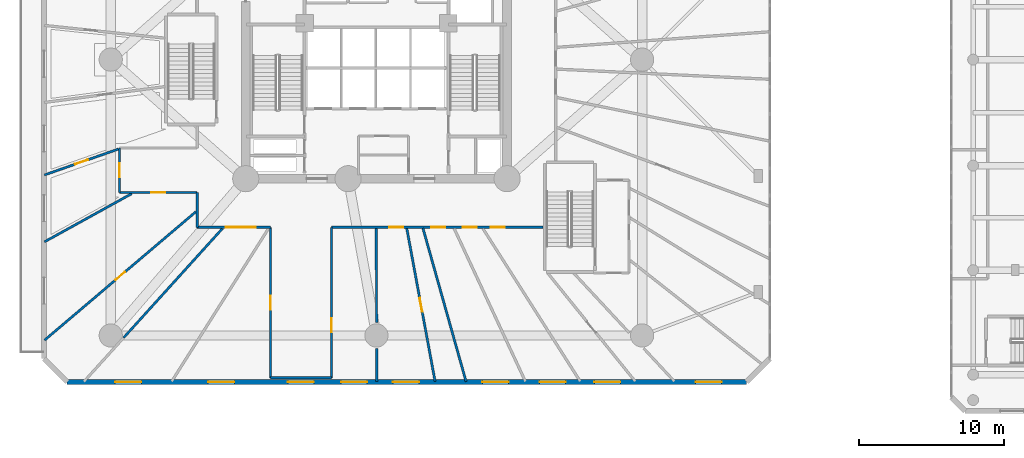
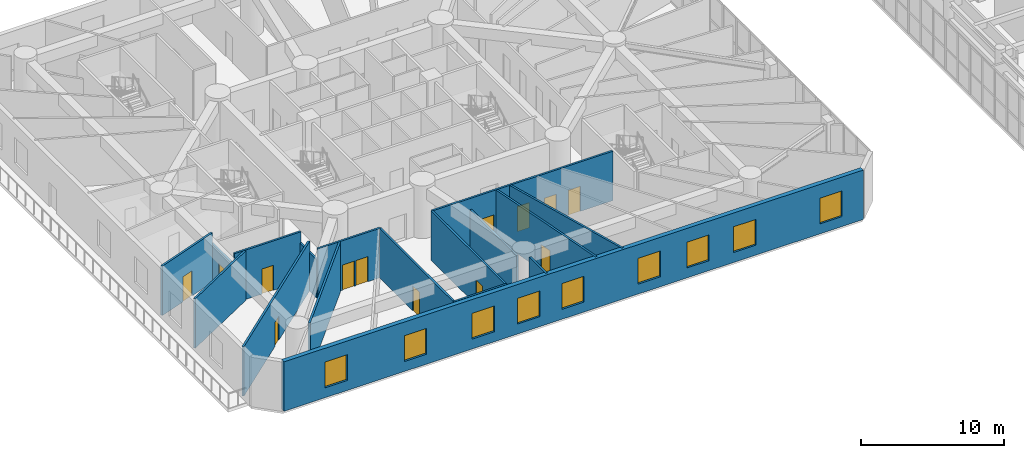
# One storey, part 12 of 24: 17 walls, 13 doors, 9 windows, 22 openings.
"""IFC4 building model written with IfcOpenShell, lengths in metres."""

from ifc_helpers import new_model, si_unit, direction, frame, frame_2d, origin, origin_with_axes, place, context, subcontext, project, spatial, rectangle, extrude, source, transform, mapped, material, layer, layer_set, type_object, element, fill, save


model = new_model("IFC4")

# Units and contexts
model_context = context("Model", 3, precision=1e-05, world=origin(), true_north=direction((0.0, 1.0)))
body_context = subcontext(model_context, "Body", "Model", "MODEL_VIEW")
ifc_project = project(units=[si_unit("LENGTHUNIT", "METRE"), si_unit("AREAUNIT", "SQUARE_METRE"), si_unit("VOLUMEUNIT", "CUBIC_METRE"), si_unit("PLANEANGLEUNIT", "RADIAN"), si_unit("MASSUNIT", "GRAM", prefix="KILO")], contexts=[model_context])

# Site, building, storey
site_placement = place(None, origin())
site = spatial("IfcSite", under=ifc_project, at=site_placement, CompositionType="ELEMENT")
building_placement = place(site_placement, origin())
building = spatial("IfcBuilding", under=site, at=building_placement, Name="Karkom Vertical University and Central Library", CompositionType="ELEMENT")
storey_placement = place(building_placement, frame((0.0, 0.0, 13.5)))
storey = spatial("IfcBuildingStorey", under=building, at=storey_placement, Name="L03", CompositionType="ELEMENT", Elevation=13.5)

# Wall, openings, windows
ifc_material_1 = material(Name="Brick masonry 360mm insulated cavity", Category="masonry")
ifc_layer_1 = layer(ifc_material_1, 0.360107421875)
ifc_layer_set_1 = layer_set([ifc_layer_1], Name="Brick masonry 360mm insulated cavity")
wall_type_1 = type_object("IfcWallType", Name="ENV-WL-BRK-360", PredefinedType="SOLIDWALL", material=ifc_layer_set_1)
wall_1_placement = place(storey_placement, frame((7.199951171875, 4.300048828125, 0.0), z_axis=(0.0, 0.0, 1.0), x_axis=(1.0, 0.0, 0.0)))
wall_1 = element("IfcWall", 1, at=wall_1_placement, inside=storey, type_object=wall_type_1, Name="Level 03 POD Terracotta Brick Facade Wall 01", PredefinedType="SOLIDWALL", context=body_context, shape_type="SweptSolid", body=[
    extrude(rectangle(XDim=46.800048828125, YDim=0.360107421875, at=frame_2d((23.39990234375, 0.0))), origin(), (0.0, 0.0, 1.0), 4.22509765625),
])
opening_1_placement = place(wall_1_placement, frame((3.305419921875, 0.0, 0.85009765625)))
opening_1 = element("IfcOpeningElement", 2, at=opening_1_placement, cuts=wall_1, Name="Opening WN-01", PredefinedType="OPENING", context=body_context, shape_type="SweptSolid", body=[
    extrude(rectangle(XDim=1.800048828125, YDim=2.199951171875, at=frame_2d((0.89990234375, 1.10009765625))), frame((0.0, 0.18994140625, 0.0), z_axis=(0.0, -1.0, 0.0), x_axis=(1.0, 0.0, 0.0)), (0.0, 0.0, 1.0), 0.380126953125),
])
opening_2_placement = place(wall_1_placement, frame((9.708984375, 0.0, 0.85009765625)))
opening_2 = element("IfcOpeningElement", 3, at=opening_2_placement, cuts=wall_1, Name="Opening WN-01", PredefinedType="OPENING", context=body_context, shape_type="SweptSolid", body=[
    extrude(rectangle(XDim=1.800048828125, YDim=2.199951171875, at=frame_2d((0.89990234375, 1.10009765625))), frame((0.0, 0.18994140625, 0.0), z_axis=(0.0, -1.0, 0.0), x_axis=(1.0, 0.0, 0.0)), (0.0, 0.0, 1.0), 0.380126953125),
])
opening_3_placement = place(wall_1_placement, frame((15.199951171875, 0.0, 0.85009765625)))
opening_3 = element("IfcOpeningElement", 4, at=opening_3_placement, cuts=wall_1, Name="Opening WN-01", PredefinedType="OPENING", context=body_context, shape_type="SweptSolid", body=[
    extrude(rectangle(XDim=1.800048828125, YDim=2.199951171875, at=frame_2d((0.89990234375, 1.10009765625))), frame((0.0, 0.18994140625, 0.0), z_axis=(0.0, -1.0, 0.0), x_axis=(1.0, 0.0, 0.0)), (0.0, 0.0, 1.0), 0.380126953125),
])
opening_4_placement = place(wall_1_placement, frame((18.864990234375, 0.0, 0.85009765625)))
opening_4 = element("IfcOpeningElement", 5, at=opening_4_placement, cuts=wall_1, Name="Opening WN-01", PredefinedType="OPENING", context=body_context, shape_type="SweptSolid", body=[
    extrude(rectangle(XDim=1.800048828125, YDim=2.199951171875, at=frame_2d((0.89990234375, 1.10009765625))), frame((0.0, 0.18994140625, 0.0), z_axis=(0.0, -1.0, 0.0), x_axis=(1.0, 0.0, 0.0)), (0.0, 0.0, 1.0), 0.380126953125),
])
opening_5_placement = place(wall_1_placement, frame((22.432861328125, 0.0, 0.85009765625)))
opening_5 = element("IfcOpeningElement", 6, at=opening_5_placement, cuts=wall_1, Name="Opening WN-01", PredefinedType="OPENING", context=body_context, shape_type="SweptSolid", body=[
    extrude(rectangle(XDim=1.800048828125, YDim=2.199951171875, at=frame_2d((0.89990234375, 1.10009765625))), frame((0.0, 0.18994140625, 0.0), z_axis=(0.0, -1.0, 0.0), x_axis=(1.0, 0.0, 0.0)), (0.0, 0.0, 1.0), 0.380126953125),
])
opening_6_placement = place(wall_1_placement, frame((28.606201171875, 0.0, 0.85009765625)))
opening_6 = element("IfcOpeningElement", 7, at=opening_6_placement, cuts=wall_1, Name="Opening WN-01", PredefinedType="OPENING", context=body_context, shape_type="SweptSolid", body=[
    extrude(rectangle(XDim=1.800048828125, YDim=2.199951171875, at=frame_2d((0.89990234375, 1.10009765625))), frame((0.0, 0.18994140625, 0.0), z_axis=(0.0, -1.0, 0.0), x_axis=(1.0, 0.0, 0.0)), (0.0, 0.0, 1.0), 0.380126953125),
])
opening_7_placement = place(wall_1_placement, frame((32.53271484375, 0.0, 0.85009765625)))
opening_7 = element("IfcOpeningElement", 8, at=opening_7_placement, cuts=wall_1, Name="Opening WN-01", PredefinedType="OPENING", context=body_context, shape_type="SweptSolid", body=[
    extrude(rectangle(XDim=1.800048828125, YDim=2.199951171875, at=frame_2d((0.89990234375, 1.10009765625))), frame((0.0, 0.18994140625, 0.0), z_axis=(0.0, -1.0, 0.0), x_axis=(1.0, 0.0, 0.0)), (0.0, 0.0, 1.0), 0.380126953125),
])
opening_8_placement = place(wall_1_placement, frame((36.309814453125, 0.0, 0.85009765625)))
opening_8 = element("IfcOpeningElement", 9, at=opening_8_placement, cuts=wall_1, Name="Opening WN-01", PredefinedType="OPENING", context=body_context, shape_type="SweptSolid", body=[
    extrude(rectangle(XDim=1.800048828125, YDim=2.199951171875, at=frame_2d((0.89990234375, 1.10009765625))), frame((0.0, 0.18994140625, 0.0), z_axis=(0.0, -1.0, 0.0), x_axis=(1.0, 0.0, 0.0)), (0.0, 0.0, 1.0), 0.380126953125),
])
opening_9_placement = place(wall_1_placement, frame((43.283203125, 0.0, 0.85009765625)))
opening_9 = element("IfcOpeningElement", 10, at=opening_9_placement, cuts=wall_1, Name="Opening WN-01", PredefinedType="OPENING", context=body_context, shape_type="SweptSolid", body=[
    extrude(rectangle(XDim=1.800048828125, YDim=2.199951171875, at=frame_2d((0.89990234375, 1.10009765625))), frame((0.0, 0.18994140625, 0.0), z_axis=(0.0, -1.0, 0.0), x_axis=(1.0, 0.0, 0.0)), (0.0, 0.0, 1.0), 0.380126953125),
])
ifc_material_2 = material(Name="Aluminium thermal-break frame with solar-control IGU", Category="aluminium")
window_type = type_object("IfcWindowType", Name="ENV-WIN-WN-01", PartitioningType="SINGLE_PANEL", PredefinedType="WINDOW", material=ifc_material_2)
shared_shape_1 = source(origin_with_axes(), body_context, "Body", "SweptSolid", [
    extrude(rectangle(XDim=1.800048828125, YDim=2.199951171875, at=frame_2d((0.89990234375, 1.10009765625))), frame((0.0, 0.030029296875, 0.0), z_axis=(0.0, -1.0, 0.0), x_axis=(1.0, 0.0, 0.0)), (0.0, 0.0, 1.0), 0.06005859375),
])
window_1_placement = place(opening_1_placement, origin())
window_1 = element("IfcWindow", 11, at=window_1_placement, inside=storey, type_object=window_type, Name="Level 03 POD Punched Window 01", OverallHeight=2.199951171875, OverallWidth=1.800048828125, PartitioningType="SINGLE_PANEL", PredefinedType="WINDOW", context=body_context, shape_type="MappedRepresentation", body=[
    mapped(shared_shape_1, transform((0.0, 0.0, 0.0), scale=1.0)),
])
fill(opening_1, window_1)
window_2_placement = place(opening_2_placement, origin())
window_2 = element("IfcWindow", 12, at=window_2_placement, inside=storey, type_object=window_type, Name="Level 03 POD Punched Window 02", OverallHeight=2.199951171875, OverallWidth=1.800048828125, PartitioningType="SINGLE_PANEL", PredefinedType="WINDOW", context=body_context, shape_type="MappedRepresentation", body=[
    mapped(shared_shape_1, transform((0.0, 0.0, 0.0), scale=1.0)),
])
fill(opening_2, window_2)
window_3_placement = place(opening_3_placement, origin())
window_3 = element("IfcWindow", 13, at=window_3_placement, inside=storey, type_object=window_type, Name="Level 03 POD Punched Window 03", OverallHeight=2.199951171875, OverallWidth=1.800048828125, PartitioningType="SINGLE_PANEL", PredefinedType="WINDOW", context=body_context, shape_type="MappedRepresentation", body=[
    mapped(shared_shape_1, transform((0.0, 0.0, 0.0), scale=1.0)),
])
fill(opening_3, window_3)
window_4_placement = place(opening_4_placement, origin())
window_4 = element("IfcWindow", 14, at=window_4_placement, inside=storey, type_object=window_type, Name="Level 03 POD Punched Window 04", OverallHeight=2.199951171875, OverallWidth=1.800048828125, PartitioningType="SINGLE_PANEL", PredefinedType="WINDOW", context=body_context, shape_type="MappedRepresentation", body=[
    mapped(shared_shape_1, transform((0.0, 0.0, 0.0), scale=1.0)),
])
fill(opening_4, window_4)
window_5_placement = place(opening_5_placement, origin())
window_5 = element("IfcWindow", 15, at=window_5_placement, inside=storey, type_object=window_type, Name="Level 03 POD Punched Window 05", OverallHeight=2.199951171875, OverallWidth=1.800048828125, PartitioningType="SINGLE_PANEL", PredefinedType="WINDOW", context=body_context, shape_type="MappedRepresentation", body=[
    mapped(shared_shape_1, transform((0.0, 0.0, 0.0), scale=1.0)),
])
fill(opening_5, window_5)
window_6_placement = place(opening_6_placement, origin())
window_6 = element("IfcWindow", 16, at=window_6_placement, inside=storey, type_object=window_type, Name="Level 03 POD Punched Window 06", OverallHeight=2.199951171875, OverallWidth=1.800048828125, PartitioningType="SINGLE_PANEL", PredefinedType="WINDOW", context=body_context, shape_type="MappedRepresentation", body=[
    mapped(shared_shape_1, transform((0.0, 0.0, 0.0), scale=1.0)),
])
fill(opening_6, window_6)
window_7_placement = place(opening_7_placement, origin())
window_7 = element("IfcWindow", 17, at=window_7_placement, inside=storey, type_object=window_type, Name="Level 03 POD Punched Window 07", OverallHeight=2.199951171875, OverallWidth=1.800048828125, PartitioningType="SINGLE_PANEL", PredefinedType="WINDOW", context=body_context, shape_type="MappedRepresentation", body=[
    mapped(shared_shape_1, transform((0.0, 0.0, 0.0), scale=1.0)),
])
fill(opening_7, window_7)
window_8_placement = place(opening_8_placement, origin())
window_8 = element("IfcWindow", 18, at=window_8_placement, inside=storey, type_object=window_type, Name="Level 03 POD Punched Window 08", OverallHeight=2.199951171875, OverallWidth=1.800048828125, PartitioningType="SINGLE_PANEL", PredefinedType="WINDOW", context=body_context, shape_type="MappedRepresentation", body=[
    mapped(shared_shape_1, transform((0.0, 0.0, 0.0), scale=1.0)),
])
fill(opening_8, window_8)
window_9_placement = place(opening_9_placement, origin())
window_9 = element("IfcWindow", 19, at=window_9_placement, inside=storey, type_object=window_type, Name="Level 03 POD Punched Window 09", OverallHeight=2.199951171875, OverallWidth=1.800048828125, PartitioningType="SINGLE_PANEL", PredefinedType="WINDOW", context=body_context, shape_type="MappedRepresentation", body=[
    mapped(shared_shape_1, transform((0.0, 0.0, 0.0), scale=1.0)),
])
fill(opening_9, window_9)

# Wall, openings, doors
ifc_material_3 = material(Name="Insulated metal-stud drywall 160mm", Category="gypsum")
ifc_layer_2 = layer(ifc_material_3, 0.159912109375)
ifc_layer_set_2 = layer_set([ifc_layer_2], Name="Insulated metal-stud drywall 160mm")
wall_type_2 = type_object("IfcWallType", Name="INT-WL-COR-160", PredefinedType="PARTITIONING", material=ifc_layer_set_2)
wall_2_placement = place(storey_placement, frame((39.988037109375, 14.949951171875, 0.0), z_axis=(0.0, 0.0, 1.0), x_axis=(-1.0, 0.0, 0.0)))
wall_2 = element("IfcWall", 20, at=wall_2_placement, inside=storey, type_object=wall_type_2, Name="Level 03 Interior Partition Wall Level 03-PDCW-CW-010", PredefinedType="PARTITIONING", context=body_context, shape_type="SweptSolid", body=[
    extrude(rectangle(XDim=14.588134765625, YDim=0.159912109375, at=frame_2d((7.2939453125, 0.0))), origin(), (0.0, 0.0, 1.0), 4.22509765625),
])
opening_10_placement = place(wall_2_placement, frame((9.637939453125, 0.0, 0.0)))
opening_10 = element("IfcOpeningElement", 21, at=opening_10_placement, cuts=wall_2, Name="Opening FD-RM2", PredefinedType="OPENING", context=body_context, shape_type="SweptSolid", body=[
    extrude(rectangle(XDim=0.9599609375, YDim=2.14990234375, at=frame_2d((0.47998046875, 1.074951171875))), frame((0.0, 0.08984375, 0.0), z_axis=(0.0, -1.0, 0.0), x_axis=(1.0, 0.0, 0.0)), (0.0, 0.0, 1.0), 0.179931640625),
])
opening_11_placement = place(wall_2_placement, frame((6.735107421875, 0.0, 0.0)))
opening_11 = element("IfcOpeningElement", 22, at=opening_11_placement, cuts=wall_2, Name="Opening FD-RM2", PredefinedType="OPENING", context=body_context, shape_type="SweptSolid", body=[
    extrude(rectangle(XDim=0.9599609375, YDim=2.14990234375, at=frame_2d((0.47998046875, 1.074951171875))), frame((0.0, 0.08984375, 0.0), z_axis=(0.0, -1.0, 0.0), x_axis=(1.0, 0.0, 0.0)), (0.0, 0.0, 1.0), 0.179931640625),
])
opening_12_placement = place(wall_2_placement, frame((4.572021484375, 0.0, 0.0)))
opening_12 = element("IfcOpeningElement", 23, at=opening_12_placement, cuts=wall_2, Name="Opening FD-RM2", PredefinedType="OPENING", context=body_context, shape_type="SweptSolid", body=[
    extrude(rectangle(XDim=0.9599609375, YDim=2.14990234375, at=frame_2d((0.47998046875, 1.074951171875))), frame((0.0, 0.08984375, 0.0), z_axis=(0.0, -1.0, 0.0), x_axis=(1.0, 0.0, 0.0)), (0.0, 0.0, 1.0), 0.179931640625),
])
opening_13_placement = place(wall_2_placement, frame((2.639892578125, 0.0, 0.0)))
opening_13 = element("IfcOpeningElement", 24, at=opening_13_placement, cuts=wall_2, Name="Opening FD-RM2", PredefinedType="OPENING", context=body_context, shape_type="SweptSolid", body=[
    extrude(rectangle(XDim=0.9599609375, YDim=2.14990234375, at=frame_2d((0.47998046875, 1.074951171875))), frame((0.0, 0.08984375, 0.0), z_axis=(0.0, -1.0, 0.0), x_axis=(1.0, 0.0, 0.0)), (0.0, 0.0, 1.0), 0.179931640625),
])
ifc_material_4 = material(Name="Fire-rated oak veneer door", Category="wood")
door_type_1 = type_object("IfcDoorType", Name="INT-DR-FRM2", OperationType="NOTDEFINED", PredefinedType="DOOR", material=ifc_material_4)
shared_shape_2 = source(origin_with_axes(), body_context, "Body", "SweptSolid", [
    extrude(rectangle(XDim=0.9599609375, YDim=2.14990234375, at=frame_2d((0.47998046875, 1.074951171875))), frame((0.0, 0.02490234375, 0.0), z_axis=(0.0, -1.0, 0.0), x_axis=(1.0, 0.0, 0.0)), (0.0, 0.0, 1.0), 0.050048828125),
])
door_1_placement = place(opening_10_placement, origin())
door_1 = element("IfcDoor", 25, at=door_1_placement, inside=storey, type_object=door_type_1, Name="Level 03 Room Entry Door 808", OperationType="SINGLE_SWING_LEFT", OverallHeight=2.14990234375, OverallWidth=0.9599609375, PredefinedType="DOOR", context=body_context, shape_type="MappedRepresentation", body=[
    mapped(shared_shape_2, transform((0.0, 0.0, 0.0), scale=1.0)),
])
fill(opening_10, door_1)
door_2_placement = place(opening_11_placement, origin())
door_2 = element("IfcDoor", 26, at=door_2_placement, inside=storey, type_object=door_type_1, Name="Level 03 Room Entry Door 810", OperationType="SINGLE_SWING_LEFT", OverallHeight=2.14990234375, OverallWidth=0.9599609375, PredefinedType="DOOR", context=body_context, shape_type="MappedRepresentation", body=[
    mapped(shared_shape_2, transform((0.0, 0.0, 0.0), scale=1.0)),
])
fill(opening_11, door_2)
door_3_placement = place(opening_12_placement, origin())
door_3 = element("IfcDoor", 27, at=door_3_placement, inside=storey, type_object=door_type_1, Name="Level 03 Room Entry Door 811", OperationType="SINGLE_SWING_RIGHT", OverallHeight=2.14990234375, OverallWidth=0.9599609375, PredefinedType="DOOR", context=body_context, shape_type="MappedRepresentation", body=[
    mapped(shared_shape_2, transform((0.0, 0.0, 0.0), scale=1.0)),
])
fill(opening_12, door_3)
door_4_placement = place(opening_13_placement, origin())
door_4 = element("IfcDoor", 28, at=door_4_placement, inside=storey, type_object=door_type_1, Name="Level 03 Room Entry Door 812", OperationType="SINGLE_SWING_LEFT", OverallHeight=2.14990234375, OverallWidth=0.9599609375, PredefinedType="DOOR", context=body_context, shape_type="MappedRepresentation", body=[
    mapped(shared_shape_2, transform((0.0, 0.0, 0.0), scale=1.0)),
])
fill(opening_13, door_4)

# Wall, opening, door
wall_3_placement = place(storey_placement, frame((16.068115234375, 16.02685546875, 0.0), z_axis=(0.0, 0.0, 1.0), x_axis=(-0.762407725243, -0.647096948293, 0.0)))
wall_3 = element("IfcWall", 29, at=wall_3_placement, inside=storey, type_object=wall_type_2, Name="Level 03 Interior Partition Wall Level 03-PODW-04-05-1", PredefinedType="PARTITIONING", context=body_context, shape_type="SweptSolid", body=[
    extrude(rectangle(XDim=13.677490234375, YDim=0.159912109375, at=frame_2d((6.8388671875, 0.0))), origin(), (0.0, 0.0, 1.0), 4.22509765625),
])
opening_14_placement = place(wall_3_placement, frame((6.40869140625, 0.0, 0.0)))
opening_14 = element("IfcOpeningElement", 30, at=opening_14_placement, cuts=wall_3, Name="Opening FD-BTH2", PredefinedType="OPENING", context=body_context, shape_type="SweptSolid", body=[
    extrude(rectangle(XDim=0.860107421875, YDim=2.0400390625, at=frame_2d((0.43017578125, 1.02001953125))), frame((0.0, 0.08984375, 0.0), z_axis=(0.0, -1.0, 0.0), x_axis=(1.0, 0.0, 0.0)), (0.0, 0.0, 1.0), 0.179931640625),
])
ifc_material_5 = material(Name="Fire-rated moisture-resistant oak door", Category="wood")
door_type_2 = type_object("IfcDoorType", Name="INT-DR-FBTH2", OperationType="NOTDEFINED", PredefinedType="DOOR", material=ifc_material_5)
shared_shape_3 = source(origin_with_axes(), body_context, "Body", "SweptSolid", [
    extrude(rectangle(XDim=0.860107421875, YDim=2.0400390625, at=frame_2d((0.43017578125, 1.02001953125))), frame((0.0, 0.02490234375, 0.0), z_axis=(0.0, -1.0, 0.0), x_axis=(1.0, 0.0, 0.0)), (0.0, 0.0, 1.0), 0.050048828125),
])
door_5_placement = place(opening_14_placement, origin())
door_5 = element("IfcDoor", 31, at=door_5_placement, inside=storey, type_object=door_type_2, Name="Level 03 Studio Supply Store Entry Door", OperationType="SINGLE_SWING_RIGHT", OverallHeight=2.0400390625, OverallWidth=0.860107421875, PredefinedType="DOOR", context=body_context, shape_type="MappedRepresentation", body=[
    mapped(shared_shape_3, transform((0.0, 0.0, 0.0), scale=1.0)),
])
fill(opening_14, door_5)

# Wall
wall_4_placement = place(storey_placement, frame((31.70556640625, 14.88232421875, 0.0), z_axis=(0.0, 0.0, 1.0), x_axis=(0.270781041685, -0.962640964983, 0.0)))
element("IfcWall", 32, at=wall_4_placement, inside=storey, type_object=wall_type_2, Name="Level 03 Interior Partition Wall Level 03-PODW-10-11-1", PredefinedType="PARTITIONING", context=body_context, shape_type="SweptSolid", body=[
    extrude(rectangle(XDim=10.964599609375, YDim=0.159912109375, at=frame_2d((5.482421875, 0.0))), origin(), (0.0, 0.0, 1.0), 4.22509765625),
])

# Wall, opening, door
wall_5_placement = place(storey_placement, frame((30.591552734375, 14.867919921875, 0.0), z_axis=(0.0, 0.0, 1.0), x_axis=(0.181954705636, -0.983306912971, 0.0)))
wall_5 = element("IfcWall", 33, at=wall_5_placement, inside=storey, type_object=wall_type_2, Name="Level 03 Interior Partition Wall Level 03-PODW-09-10-1", PredefinedType="PARTITIONING", context=body_context, shape_type="SweptSolid", body=[
    extrude(rectangle(XDim=10.720703125, YDim=0.159912109375, at=frame_2d((5.3603515625, 0.0))), origin(), (0.0, 0.0, 1.0), 4.22509765625),
])
opening_15_placement = place(wall_5_placement, frame((4.867919921875, 0.0, 0.0)))
opening_15 = element("IfcOpeningElement", 34, at=opening_15_placement, cuts=wall_5, Name="Opening FD-RM2", PredefinedType="OPENING", context=body_context, shape_type="SweptSolid", body=[
    extrude(rectangle(XDim=0.9599609375, YDim=2.14990234375, at=frame_2d((0.47998046875, 1.074951171875))), frame((0.0, 0.08984375, 0.0), z_axis=(0.0, -1.0, 0.0), x_axis=(1.0, 0.0, 0.0)), (0.0, 0.0, 1.0), 0.179931640625),
])
door_6_placement = place(opening_15_placement, origin())
door_6 = element("IfcDoor", 35, at=door_6_placement, inside=storey, type_object=door_type_1, Name="Level 03 Room Entry Door 809", OperationType="SINGLE_SWING_RIGHT", OverallHeight=2.14990234375, OverallWidth=0.9599609375, PredefinedType="DOOR", context=body_context, shape_type="MappedRepresentation", body=[
    mapped(shared_shape_2, transform((0.0, 0.0, 0.0), scale=1.0)),
])
fill(opening_15, door_6)

wall_6_placement = place(storey_placement, frame((25.39990234375, 14.949951171875, 0.0), z_axis=(0.0, 0.0, 1.0), x_axis=(0.0, -1.0, 0.0)))
wall_6 = element("IfcWall", 36, at=wall_6_placement, inside=storey, type_object=wall_type_2, Name="Level 03 Interior Partition Wall Level 03-PDCW-CW-011", PredefinedType="PARTITIONING", context=body_context, shape_type="SweptSolid", body=[
    extrude(rectangle(XDim=10.369873046875, YDim=0.159912109375, at=frame_2d((5.18505859375, 0.0))), origin(), (0.0, 0.0, 1.0), 4.22509765625),
])
opening_16_placement = place(wall_6_placement, frame((6.265380859375, 0.0, 0.0)))
opening_16 = element("IfcOpeningElement", 37, at=opening_16_placement, cuts=wall_6, Name="Opening FD-RM2", PredefinedType="OPENING", context=body_context, shape_type="SweptSolid", body=[
    extrude(rectangle(XDim=0.9599609375, YDim=2.14990234375, at=frame_2d((0.47998046875, 1.074951171875))), frame((0.0, 0.08984375, 0.0), z_axis=(0.0, -1.0, 0.0), x_axis=(1.0, 0.0, 0.0)), (0.0, 0.0, 1.0), 0.179931640625),
])
door_7_placement = place(opening_16_placement, origin())
door_7 = element("IfcDoor", 38, at=door_7_placement, inside=storey, type_object=door_type_1, Name="Level 03 Room Entry Door 807", OperationType="SINGLE_SWING_RIGHT", OverallHeight=2.14990234375, OverallWidth=0.9599609375, PredefinedType="DOOR", context=body_context, shape_type="MappedRepresentation", body=[
    mapped(shared_shape_2, transform((0.0, 0.0, 0.0), scale=1.0)),
])
fill(opening_16, door_7)

wall_7_placement = place(storey_placement, frame((21.199951171875, 4.580078125, 0.0), z_axis=(0.0, 0.0, 1.0), x_axis=(0.0, 1.0, 0.0)))
wall_7 = element("IfcWall", 39, at=wall_7_placement, inside=storey, type_object=wall_type_2, Name="Level 03 Interior Partition Wall Level 03-PDCW-CW-013", PredefinedType="PARTITIONING", context=body_context, shape_type="SweptSolid", body=[
    extrude(rectangle(XDim=10.369873046875, YDim=0.159912109375, at=frame_2d((5.18505859375, 0.0))), origin(), (0.0, 0.0, 1.0), 4.22509765625),
])
opening_17_placement = place(wall_7_placement, frame((4.7099609375, 0.0, 0.0)))
opening_17 = element("IfcOpeningElement", 40, at=opening_17_placement, cuts=wall_7, Name="Opening FD-RM2", PredefinedType="OPENING", context=body_context, shape_type="SweptSolid", body=[
    extrude(rectangle(XDim=0.9599609375, YDim=2.14990234375, at=frame_2d((0.47998046875, 1.074951171875))), frame((0.0, 0.08984375, 0.0), z_axis=(0.0, -1.0, 0.0), x_axis=(1.0, 0.0, 0.0)), (0.0, 0.0, 1.0), 0.179931640625),
])
door_8_placement = place(opening_17_placement, origin())
door_8 = element("IfcDoor", 41, at=door_8_placement, inside=storey, type_object=door_type_1, Name="Level 03 Room Entry Door 806", OperationType="SINGLE_SWING_LEFT", OverallHeight=2.14990234375, OverallWidth=0.9599609375, PredefinedType="DOOR", context=body_context, shape_type="MappedRepresentation", body=[
    mapped(shared_shape_2, transform((0.0, 0.0, 0.0), scale=1.0)),
])
fill(opening_17, door_8)

# Walls
wall_8_placement = place(storey_placement, frame((17.89404296875, 14.867919921875, 0.0), z_axis=(0.0, 0.0, 1.0), x_axis=(-0.670944212542, -0.741507831149, 0.0)))
element("IfcWall", 42, at=wall_8_placement, inside=storey, type_object=wall_type_2, Name="Level 03 Interior Partition Wall Level 03-PODW-05-06-1", PredefinedType="PARTITIONING", context=body_context, shape_type="SweptSolid", body=[
    extrude(rectangle(XDim=10.140869140625, YDim=0.159912109375, at=frame_2d((5.0703125, 0.0))), origin(), (0.0, 0.0, 1.0), 4.22509765625),
])
wall_9_placement = place(storey_placement, frame((11.645263671875, 17.26806640625, 0.0), z_axis=(0.0, 0.0, 1.0), x_axis=(-0.875543975617, -0.483138434365, 0.0)))
element("IfcWall", 43, at=wall_9_placement, inside=storey, type_object=wall_type_2, Name="Level 03 Interior Partition Wall Level 03-PODW-03-04-2", PredefinedType="PARTITIONING", context=body_context, shape_type="SweptSolid", body=[
    extrude(rectangle(XDim=6.866943359375, YDim=0.159912109375, at=frame_2d((3.43359375, 0.0))), origin(), (0.0, 0.0, 1.0), 4.22509765625),
])
wall_10_placement = place(storey_placement, frame((28.4873046875, 14.867919921875, 0.0), z_axis=(0.0, 0.0, 1.0), x_axis=(0.004032529208, -0.999991869321, 0.0)))
element("IfcWall", 44, at=wall_10_placement, inside=storey, type_object=wall_type_2, Name="Level 03 Interior Partition Wall Level 03-PODW-08-09-1", PredefinedType="PARTITIONING", context=body_context, shape_type="SweptSolid", body=[
    extrude(rectangle(XDim=6.47802734375, YDim=0.159912109375, at=frame_2d((3.239013671875, 0.0))), origin(), (0.0, 0.0, 1.0), 3.27490234375),
])

# Wall, opening, door
wall_11_placement = place(storey_placement, frame((10.718017578125, 20.3369140625, 0.0), z_axis=(0.0, 0.0, 1.0), x_axis=(-0.943803287207, -0.330507723142, 0.0)))
wall_11 = element("IfcWall", 45, at=wall_11_placement, inside=storey, type_object=wall_type_2, Name="Level 03 Interior Partition Wall Level 03-PODW-02-03-2", PredefinedType="PARTITIONING", context=body_context, shape_type="SweptSolid", body=[
    extrude(rectangle(XDim=5.392333984375, YDim=0.159912109375, at=frame_2d((2.6962890625, 0.0))), origin(), (0.0, 0.0, 1.0), 4.22509765625),
])
opening_18_placement = place(wall_11_placement, frame((2.20361328125, 0.0, 0.0)))
opening_18 = element("IfcOpeningElement", 46, at=opening_18_placement, cuts=wall_11, Name="Opening FD-RM2", PredefinedType="OPENING", context=body_context, shape_type="SweptSolid", body=[
    extrude(rectangle(XDim=0.9599609375, YDim=2.14990234375, at=frame_2d((0.47998046875, 1.074951171875))), frame((0.0, 0.08984375, 0.0), z_axis=(0.0, -1.0, 0.0), x_axis=(1.0, 0.0, 0.0)), (0.0, 0.0, 1.0), 0.179931640625),
])
door_9_placement = place(opening_18_placement, origin())
door_9 = element("IfcDoor", 47, at=door_9_placement, inside=storey, type_object=door_type_1, Name="Level 03 Room Entry Door 801", OperationType="SINGLE_SWING_RIGHT", OverallHeight=2.14990234375, OverallWidth=0.9599609375, PredefinedType="DOOR", context=body_context, shape_type="MappedRepresentation", body=[
    mapped(shared_shape_2, transform((0.0, 0.0, 0.0), scale=1.0)),
])
fill(opening_18, door_9)

wall_12_placement = place(storey_placement, frame((16.14990234375, 17.35009765625, 0.0), z_axis=(0.0, 0.0, 1.0), x_axis=(-1.0, 0.0, 0.0)))
wall_12 = element("IfcWall", 48, at=wall_12_placement, inside=storey, type_object=wall_type_2, Name="Level 03 Interior Partition Wall Level 03-PDCW-CW-016", PredefinedType="PARTITIONING", context=body_context, shape_type="SweptSolid", body=[
    extrude(rectangle(XDim=5.349853515625, YDim=0.159912109375, at=frame_2d((2.6748046875, 0.0))), origin(), (0.0, 0.0, 1.0), 4.22509765625),
])
opening_19_placement = place(wall_12_placement, frame((2.199951171875, 0.0, 0.0)))
opening_19 = element("IfcOpeningElement", 49, at=opening_19_placement, cuts=wall_12, Name="Opening FD-RM2", PredefinedType="OPENING", context=body_context, shape_type="SweptSolid", body=[
    extrude(rectangle(XDim=0.9599609375, YDim=2.14990234375, at=frame_2d((0.47998046875, 1.074951171875))), frame((0.0, 0.08984375, 0.0), z_axis=(0.0, -1.0, 0.0), x_axis=(1.0, 0.0, 0.0)), (0.0, 0.0, 1.0), 0.179931640625),
])
door_10_placement = place(opening_19_placement, origin())
door_10 = element("IfcDoor", 50, at=door_10_placement, inside=storey, type_object=door_type_1, Name="Level 03 Room Entry Door 803", OperationType="SINGLE_SWING_RIGHT", OverallHeight=2.14990234375, OverallWidth=0.9599609375, PredefinedType="DOOR", context=body_context, shape_type="MappedRepresentation", body=[
    mapped(shared_shape_2, transform((0.0, 0.0, 0.0), scale=1.0)),
])
fill(opening_19, door_10)

# Wall, openings, doors
wall_13_placement = place(storey_placement, frame((21.199951171875, 14.949951171875, 0.0), z_axis=(0.0, 0.0, 1.0), x_axis=(-1.0, 0.0, 0.0)))
wall_13 = element("IfcWall", 51, at=wall_13_placement, inside=storey, type_object=wall_type_2, Name="Level 03 Interior Partition Wall Level 03-PDCW-CW-014", PredefinedType="PARTITIONING", context=body_context, shape_type="SweptSolid", body=[
    extrude(rectangle(XDim=5.050048828125, YDim=0.159912109375, at=frame_2d((2.52490234375, 0.0))), origin(), (0.0, 0.0, 1.0), 4.22509765625),
])
opening_20_placement = place(wall_13_placement, frame((2.12255859375, 0.0, 0.0)))
opening_20 = element("IfcOpeningElement", 52, at=opening_20_placement, cuts=wall_13, Name="Opening FD-RM2", PredefinedType="OPENING", context=body_context, shape_type="SweptSolid", body=[
    extrude(rectangle(XDim=0.9599609375, YDim=2.14990234375, at=frame_2d((0.47998046875, 1.074951171875))), frame((0.0, 0.08984375, 0.0), z_axis=(0.0, -1.0, 0.0), x_axis=(1.0, 0.0, 0.0)), (0.0, 0.0, 1.0), 0.179931640625),
])
opening_21_placement = place(wall_13_placement, frame((1.010009765625, 0.0, 0.0)))
opening_21 = element("IfcOpeningElement", 53, at=opening_21_placement, cuts=wall_13, Name="Opening FD-RM2", PredefinedType="OPENING", context=body_context, shape_type="SweptSolid", body=[
    extrude(rectangle(XDim=0.9599609375, YDim=2.14990234375, at=frame_2d((0.47998046875, 1.074951171875))), frame((0.0, 0.08984375, 0.0), z_axis=(0.0, -1.0, 0.0), x_axis=(1.0, 0.0, 0.0)), (0.0, 0.0, 1.0), 0.179931640625),
])
door_11_placement = place(opening_20_placement, origin())
door_11 = element("IfcDoor", 54, at=door_11_placement, inside=storey, type_object=door_type_1, Name="Level 03 Room Entry Door 804", OperationType="SINGLE_SWING_LEFT", OverallHeight=2.14990234375, OverallWidth=0.9599609375, PredefinedType="DOOR", context=body_context, shape_type="MappedRepresentation", body=[
    mapped(shared_shape_2, transform((0.0, 0.0, 0.0), scale=1.0)),
])
fill(opening_20, door_11)
door_12_placement = place(opening_21_placement, origin())
door_12 = element("IfcDoor", 55, at=door_12_placement, inside=storey, type_object=door_type_1, Name="Level 03 Room Entry Door 805", OperationType="SINGLE_SWING_RIGHT", OverallHeight=2.14990234375, OverallWidth=0.9599609375, PredefinedType="DOOR", context=body_context, shape_type="MappedRepresentation", body=[
    mapped(shared_shape_2, transform((0.0, 0.0, 0.0), scale=1.0)),
])
fill(opening_21, door_12)

# Wall
wall_14_placement = place(storey_placement, frame((25.39990234375, 4.580078125, 0.0), z_axis=(0.0, 0.0, 1.0), x_axis=(-1.0, 0.0, 0.0)))
element("IfcWall", 56, at=wall_14_placement, inside=storey, type_object=wall_type_2, Name="Level 03 Interior Partition Wall Level 03-PDCW-CW-012", PredefinedType="PARTITIONING", context=body_context, shape_type="SweptSolid", body=[
    extrude(rectangle(XDim=4.199951171875, YDim=0.159912109375, at=frame_2d((2.10009765625, 0.0))), origin(), (0.0, 0.0, 1.0), 4.22509765625),
])

# Wall, opening, door
wall_15_placement = place(storey_placement, frame((10.800048828125, 17.35009765625, 0.0), z_axis=(0.0, 0.0, 1.0), x_axis=(0.0, 1.0, 0.0)))
wall_15 = element("IfcWall", 57, at=wall_15_placement, inside=storey, type_object=wall_type_2, Name="Level 03 Interior Partition Wall Level 03-PDCW-CW-017", PredefinedType="PARTITIONING", context=body_context, shape_type="SweptSolid", body=[
    extrude(rectangle(XDim=3.06982421875, YDim=0.159912109375, at=frame_2d((1.534912109375, 0.0))), origin(), (0.0, 0.0, 1.0), 3.27490234375),
])
opening_22_placement = place(wall_15_placement, frame((1.06005859375, 0.0, 0.0)))
opening_22 = element("IfcOpeningElement", 58, at=opening_22_placement, cuts=wall_15, Name="Opening FD-RM2", PredefinedType="OPENING", context=body_context, shape_type="SweptSolid", body=[
    extrude(rectangle(XDim=0.9599609375, YDim=2.14990234375, at=frame_2d((0.47998046875, 1.074951171875))), frame((0.0, 0.08984375, 0.0), z_axis=(0.0, -1.0, 0.0), x_axis=(1.0, 0.0, 0.0)), (0.0, 0.0, 1.0), 0.179931640625),
])
door_13_placement = place(opening_22_placement, origin())
door_13 = element("IfcDoor", 59, at=door_13_placement, inside=storey, type_object=door_type_1, Name="Level 03 Room Entry Door 802", OperationType="SINGLE_SWING_LEFT", OverallHeight=2.14990234375, OverallWidth=0.9599609375, PredefinedType="DOOR", context=body_context, shape_type="MappedRepresentation", body=[
    mapped(shared_shape_2, transform((0.0, 0.0, 0.0), scale=1.0)),
])
fill(opening_22, door_13)

# Walls
wall_16_placement = place(storey_placement, frame((16.14990234375, 14.949951171875, 0.0), z_axis=(0.0, 0.0, 1.0), x_axis=(0.0, 1.0, 0.0)))
element("IfcWall", 60, at=wall_16_placement, inside=storey, type_object=wall_type_2, Name="Level 03 Interior Partition Wall Level 03-PDCW-CW-015", PredefinedType="PARTITIONING", context=body_context, shape_type="SweptSolid", body=[
    extrude(rectangle(XDim=2.400146484375, YDim=0.159912109375, at=frame_2d((1.2001953125, 0.0))), origin(), (0.0, 0.0, 1.0), 3.27490234375),
])
wall_17_placement = place(storey_placement, frame((28.520751953125, 6.610107421875, 0.0), z_axis=(0.0, 0.0, 1.0), x_axis=(0.003952960568, -0.999992187021, 0.0)))
element("IfcWall", 61, at=wall_17_placement, inside=storey, type_object=wall_type_2, Name="Level 03 Interior Partition Wall Level 03-PODW-08-09-2", PredefinedType="PARTITIONING", context=body_context, shape_type="SweptSolid", body=[
    extrude(rectangle(XDim=2.28515625, YDim=0.159912109375, at=frame_2d((1.142578125, 0.0))), origin(), (0.0, 0.0, 1.0), 4.22509765625),
])

save(model, "model.ifc")
